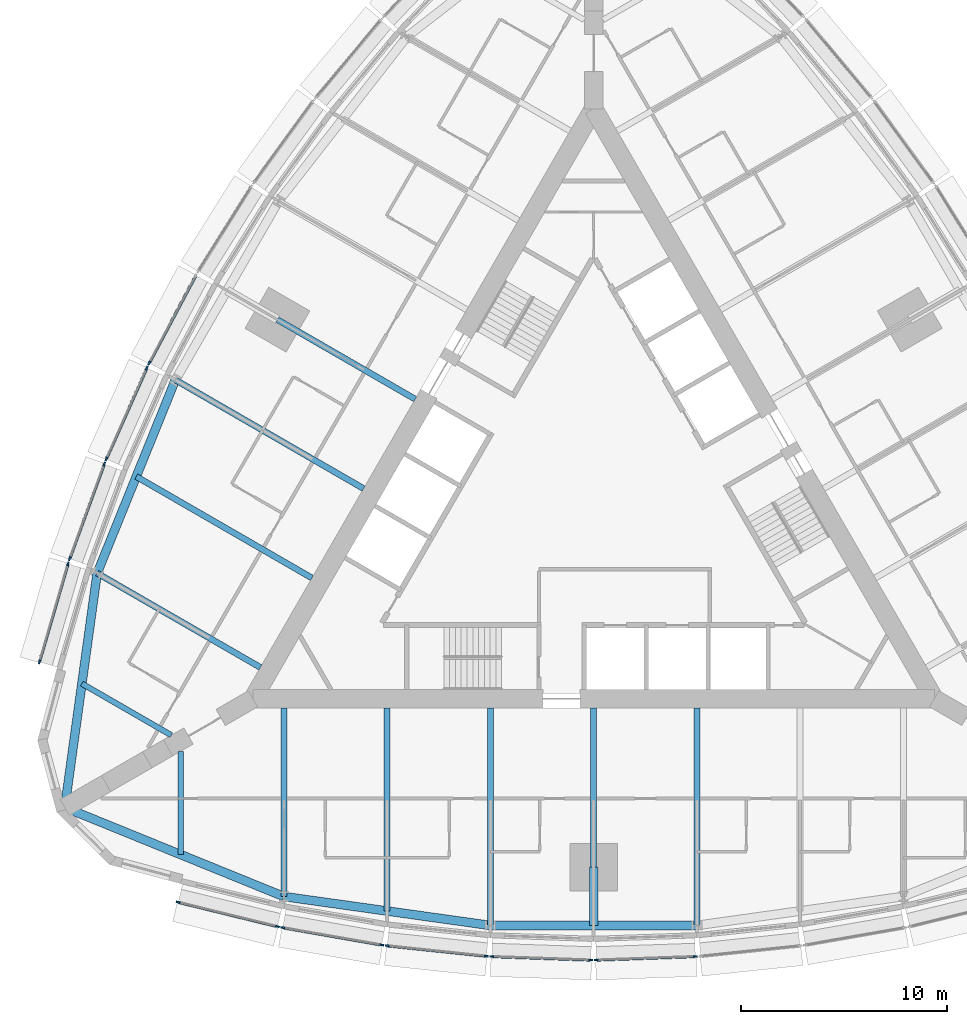
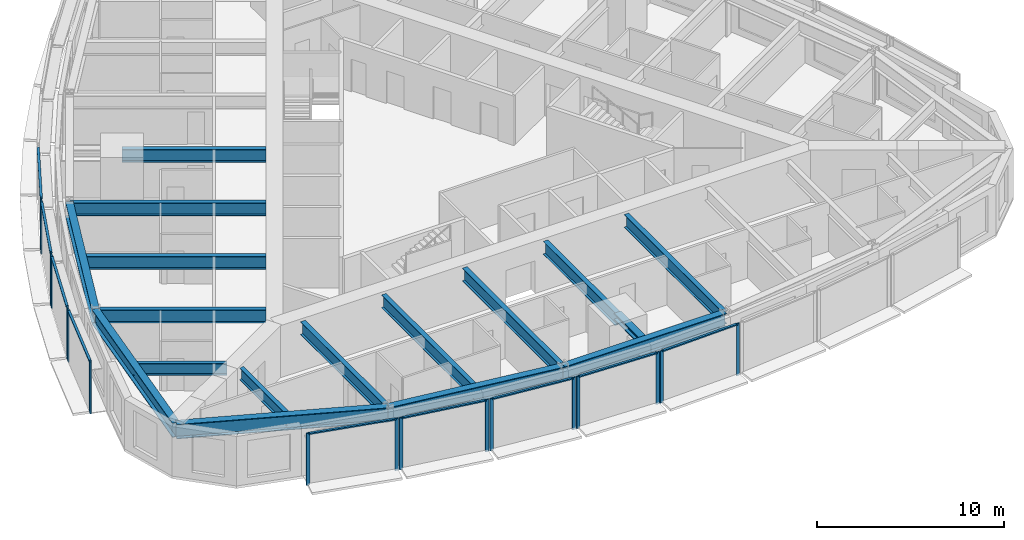
# One storey, part 2 of 14: 26 members, 17 beams, 9 elements without a shape of their own.
"""IFC4 building model written with IfcOpenShell, lengths in metres."""

from ifc_helpers import new_model, si_unit, direction, frame, origin, origin_2d, place, context, subcontext, project, spatial, rectangle, i_section, extrude, material, material_profile, profile_set, type_object, element, aggregate, save


model = new_model("IFC4")

# Units and contexts
model_context = context("Model", 3, precision=1e-05, world=origin(), true_north=direction((0.0, 1.0)))
body_context = subcontext(model_context, "Body", "Model", "MODEL_VIEW")
ifc_project = project(units=[si_unit("LENGTHUNIT", "METRE"), si_unit("AREAUNIT", "SQUARE_METRE"), si_unit("VOLUMEUNIT", "CUBIC_METRE"), si_unit("PLANEANGLEUNIT", "RADIAN"), si_unit("MASSUNIT", "GRAM", prefix="KILO")], contexts=[model_context])

# Site, building, storey
site_placement = place(None, origin())
site = spatial("IfcSite", under=ifc_project, at=site_placement, CompositionType="ELEMENT")
building_placement = place(site_placement, origin())
building = spatial("IfcBuilding", under=site, at=building_placement, Name="Trikona Tower", CompositionType="ELEMENT")
storey_placement = place(building_placement, frame((0.0, 0.0, 152.10009765625)))
storey = spatial("IfcBuildingStorey", under=building, at=storey_placement, Name="L40", CompositionType="ELEMENT", Elevation=152.10009765625)

# Curtain wall, members
ifc_material_1 = material(Name="Aluminium curtain wall system", Category="aluminium")
curtain_wall_type = type_object("IfcCurtainWallType", Name="Curtain wall DS2", PredefinedType="NOTDEFINED", material=ifc_material_1)
curtain_wall_1_placement = place(storey_placement, origin())
curtain_wall_1 = element("IfcCurtainWall", 1, at=curtain_wall_1_placement, inside=storey, type_object=curtain_wall_type, Name="Curtain wall DS2 L40", PredefinedType="NOTDEFINED")
ifc_material_2 = material(Name="Aluminium mullion, pale anodised", Category="aluminium")
ifc_material_profile_1 = material_profile(ifc_material_2, rectangle(XDim=0.080078125, YDim=0.199951171875, at=origin_2d()), Name="MUL-DS2")
ifc_profile_set_1 = profile_set([ifc_material_profile_1], Name="Aluminium mullion, pale anodised")
member_type_1 = type_object("IfcMemberType", Name="Mullion DS2 80x200", PredefinedType="MULLION", material=ifc_profile_set_1)
member_1_placement = place(storey_placement, frame((-20.116943359375, -19.373046875, 0.0), z_axis=(0.0, 0.0, 1.0), x_axis=(0.237970204243, 0.971272455026, 0.0)))
member_1 = element("IfcMember", 2, at=member_1_placement, type_object=member_type_1, Name="CW-DS2 mullion 1", PredefinedType="MULLION", context=body_context, shape_type="SweptSolid", body=[
    extrude(rectangle(XDim=0.080078125, YDim=0.199951171875, at=origin_2d()), origin(), (0.0, 0.0, 1.0), 3.39990234375),
])
member_2_placement = place(storey_placement, frame((-15.311279296875, -20.550537109375, 0.0), z_axis=(0.0, 0.0, 1.0), x_axis=(0.237970204243, 0.971272455026, 0.0)))
member_2 = element("IfcMember", 3, at=member_2_placement, type_object=member_type_1, Name="CW-DS2 mullion 2", PredefinedType="MULLION", context=body_context, shape_type="SweptSolid", body=[
    extrude(rectangle(XDim=0.080078125, YDim=0.199951171875, at=origin_2d()), origin(), (0.0, 0.0, 1.0), 3.39990234375),
])

curtain_wall_2_placement = place(storey_placement, origin())
curtain_wall_2 = element("IfcCurtainWall", 4, at=curtain_wall_2_placement, inside=storey, type_object=curtain_wall_type, Name="Curtain wall DS2 L40", PredefinedType="NOTDEFINED")
member_3_placement = place(storey_placement, frame((-15.056640625, -20.60400390625, 0.0), z_axis=(0.0, 0.0, 1.0), x_axis=(0.17237739505, 0.985030981074, 0.0)))
member_3 = element("IfcMember", 5, at=member_3_placement, type_object=member_type_1, Name="CW-DS2 mullion 1", PredefinedType="MULLION", context=body_context, shape_type="SweptSolid", body=[
    extrude(rectangle(XDim=0.080078125, YDim=0.199951171875, at=origin_2d()), origin(), (0.0, 0.0, 1.0), 3.39990234375),
])
member_4_placement = place(storey_placement, frame((-10.253662109375, -21.444580078125, 0.0), z_axis=(0.0, 0.0, 1.0), x_axis=(0.17237739505, 0.985030981074, 0.0)))
member_4 = element("IfcMember", 6, at=member_4_placement, type_object=member_type_1, Name="CW-DS2 mullion 2", PredefinedType="MULLION", context=body_context, shape_type="SweptSolid", body=[
    extrude(rectangle(XDim=0.080078125, YDim=0.199951171875, at=origin_2d()), origin(), (0.0, 0.0, 1.0), 3.39990234375),
])

curtain_wall_3_placement = place(storey_placement, origin())
curtain_wall_3 = element("IfcCurtainWall", 7, at=curtain_wall_3_placement, inside=storey, type_object=curtain_wall_type, Name="Curtain wall DS2 L40", PredefinedType="NOTDEFINED")
member_5_placement = place(storey_placement, frame((-9.99462890625, -21.480712890625, 0.0), z_axis=(0.0, 0.0, 1.0), x_axis=(0.104433387357, 0.994531883654, 0.0)))
member_5 = element("IfcMember", 8, at=member_5_placement, type_object=member_type_1, Name="CW-DS2 mullion 1", PredefinedType="MULLION", context=body_context, shape_type="SweptSolid", body=[
    extrude(rectangle(XDim=0.080078125, YDim=0.199951171875, at=origin_2d()), origin(), (0.0, 0.0, 1.0), 3.39990234375),
])
member_6_placement = place(storey_placement, frame((-5.193359375, -21.98486328125, 0.0), z_axis=(0.0, 0.0, 1.0), x_axis=(0.104433387357, 0.994531883654, 0.0)))
member_6 = element("IfcMember", 9, at=member_6_placement, type_object=member_type_1, Name="CW-DS2 mullion 2", PredefinedType="MULLION", context=body_context, shape_type="SweptSolid", body=[
    extrude(rectangle(XDim=0.080078125, YDim=0.199951171875, at=origin_2d()), origin(), (0.0, 0.0, 1.0), 3.39990234375),
])

curtain_wall_4_placement = place(storey_placement, origin())
curtain_wall_4 = element("IfcCurtainWall", 10, at=curtain_wall_4_placement, inside=storey, type_object=curtain_wall_type, Name="Curtain wall DS2 L40", PredefinedType="NOTDEFINED")
member_7_placement = place(storey_placement, frame((-4.931640625, -22.003173828125, 0.0), z_axis=(0.0, 0.0, 1.0), x_axis=(0.034998320052, 0.99938737114, 0.0)))
member_7 = element("IfcMember", 11, at=member_7_placement, type_object=member_type_1, Name="CW-DS2 mullion 1", PredefinedType="MULLION", context=body_context, shape_type="SweptSolid", body=[
    extrude(rectangle(XDim=0.080078125, YDim=0.199951171875, at=origin_2d()), origin(), (0.0, 0.0, 1.0), 3.39990234375),
])
member_8_placement = place(storey_placement, frame((-0.13134765625, -22.171142578125, 0.0), z_axis=(0.0, 0.0, 1.0), x_axis=(0.034998320052, 0.99938737114, 0.0)))
member_8 = element("IfcMember", 12, at=member_8_placement, type_object=member_type_1, Name="CW-DS2 mullion 2", PredefinedType="MULLION", context=body_context, shape_type="SweptSolid", body=[
    extrude(rectangle(XDim=0.080078125, YDim=0.199951171875, at=origin_2d()), origin(), (0.0, 0.0, 1.0), 3.39990234375),
])

curtain_wall_5_placement = place(storey_placement, origin())
curtain_wall_5 = element("IfcCurtainWall", 13, at=curtain_wall_5_placement, inside=storey, type_object=curtain_wall_type, Name="Curtain wall DS2 L40", PredefinedType="NOTDEFINED")
member_9_placement = place(storey_placement, frame((0.13134765625, -22.171142578125, 0.0), z_axis=(0.0, 0.0, 1.0), x_axis=(-0.034998320052, 0.99938737114, 0.0)))
member_9 = element("IfcMember", 14, at=member_9_placement, type_object=member_type_1, Name="CW-DS2 mullion 1", PredefinedType="MULLION", context=body_context, shape_type="SweptSolid", body=[
    extrude(rectangle(XDim=0.080078125, YDim=0.199951171875, at=origin_2d()), origin(), (0.0, 0.0, 1.0), 3.39990234375),
])
member_10_placement = place(storey_placement, frame((4.931640625, -22.003173828125, 0.0), z_axis=(0.0, 0.0, 1.0), x_axis=(-0.034998320052, 0.99938737114, 0.0)))
member_10 = element("IfcMember", 15, at=member_10_placement, type_object=member_type_1, Name="CW-DS2 mullion 2", PredefinedType="MULLION", context=body_context, shape_type="SweptSolid", body=[
    extrude(rectangle(XDim=0.080078125, YDim=0.199951171875, at=origin_2d()), origin(), (0.0, 0.0, 1.0), 3.39990234375),
])

# Curtain wall, member
curtain_wall_6_placement = place(storey_placement, origin())
curtain_wall_6 = element("IfcCurtainWall", 16, at=curtain_wall_6_placement, inside=storey, type_object=curtain_wall_type, Name="Curtain wall DS2 L40", PredefinedType="NOTDEFINED")
member_11_placement = place(storey_placement, frame((-21.52099609375, 6.730712890625, 0.0), z_axis=(0.0, 0.0, 1.0), x_axis=(0.882996107343, -0.469380308937, 0.0)))
member_11 = element("IfcMember", 17, at=member_11_placement, type_object=member_type_1, Name="CW-DS2 mullion 2", PredefinedType="MULLION", context=body_context, shape_type="SweptSolid", body=[
    extrude(rectangle(XDim=0.080078125, YDim=0.199951171875, at=origin_2d()), origin(), (0.0, 0.0, 1.0), 3.39990234375),
])

# Curtain wall, members
curtain_wall_7_placement = place(storey_placement, origin())
curtain_wall_7 = element("IfcCurtainWall", 18, at=curtain_wall_7_placement, inside=storey, type_object=curtain_wall_type, Name="Curtain wall DS2 L40", PredefinedType="NOTDEFINED")
member_12_placement = place(storey_placement, frame((-21.63623046875, 6.494873046875, 0.0), z_axis=(0.0, 0.0, 1.0), x_axis=(0.913501208767, -0.406836013132, 0.0)))
member_12 = element("IfcMember", 19, at=member_12_placement, type_object=member_type_1, Name="CW-DS2 mullion 1", PredefinedType="MULLION", context=body_context, shape_type="SweptSolid", body=[
    extrude(rectangle(XDim=0.080078125, YDim=0.199951171875, at=origin_2d()), origin(), (0.0, 0.0, 1.0), 3.39990234375),
])
member_13_placement = place(storey_placement, frame((-23.60009765625, 2.0849609375, 0.0), z_axis=(0.0, 0.0, 1.0), x_axis=(0.913501208767, -0.406836013132, 0.0)))
member_13 = element("IfcMember", 20, at=member_13_placement, type_object=member_type_1, Name="CW-DS2 mullion 2", PredefinedType="MULLION", context=body_context, shape_type="SweptSolid", body=[
    extrude(rectangle(XDim=0.080078125, YDim=0.199951171875, at=origin_2d()), origin(), (0.0, 0.0, 1.0), 3.39990234375),
])

curtain_wall_8_placement = place(storey_placement, origin())
curtain_wall_8 = element("IfcCurtainWall", 21, at=curtain_wall_8_placement, inside=storey, type_object=curtain_wall_type, Name="Curtain wall DS2 L40", PredefinedType="NOTDEFINED")
member_14_placement = place(storey_placement, frame((-23.6982421875, 1.84228515625, 0.0), z_axis=(0.0, 0.0, 1.0), x_axis=(0.939253790978, -0.343223420143, 0.0)))
member_14 = element("IfcMember", 22, at=member_14_placement, type_object=member_type_1, Name="CW-DS2 mullion 1", PredefinedType="MULLION", context=body_context, shape_type="SweptSolid", body=[
    extrude(rectangle(XDim=0.080078125, YDim=0.199951171875, at=origin_2d()), origin(), (0.0, 0.0, 1.0), 3.39990234375),
])
member_15_placement = place(storey_placement, frame((-25.371826171875, -2.737548828125, 0.0), z_axis=(0.0, 0.0, 1.0), x_axis=(0.939253790978, -0.343223420143, 0.0)))
member_15 = element("IfcMember", 23, at=member_15_placement, type_object=member_type_1, Name="CW-DS2 mullion 2", PredefinedType="MULLION", context=body_context, shape_type="SweptSolid", body=[
    extrude(rectangle(XDim=0.080078125, YDim=0.199951171875, at=origin_2d()), origin(), (0.0, 0.0, 1.0), 3.39990234375),
])

curtain_wall_9_placement = place(storey_placement, origin())
curtain_wall_9 = element("IfcCurtainWall", 24, at=curtain_wall_9_placement, inside=storey, type_object=curtain_wall_type, Name="Curtain wall DS2 L40", PredefinedType="NOTDEFINED")
member_16_placement = place(storey_placement, frame((-25.452880859375, -2.984619140625, 0.0), z_axis=(0.0, 0.0, 1.0), x_axis=(0.96013310152, -0.279543247757, 0.0)))
member_16 = element("IfcMember", 25, at=member_16_placement, type_object=member_type_1, Name="CW-DS2 mullion 1", PredefinedType="MULLION", context=body_context, shape_type="SweptSolid", body=[
    extrude(rectangle(XDim=0.080078125, YDim=0.199951171875, at=origin_2d()), origin(), (0.0, 0.0, 1.0), 3.39990234375),
])
member_17_placement = place(storey_placement, frame((-26.836181640625, -7.7353515625, 0.0), z_axis=(0.0, 0.0, 1.0), x_axis=(0.96013310152, -0.279543247757, 0.0)))
member_17 = element("IfcMember", 26, at=member_17_placement, type_object=member_type_1, Name="CW-DS2 mullion 2", PredefinedType="MULLION", context=body_context, shape_type="SweptSolid", body=[
    extrude(rectangle(XDim=0.080078125, YDim=0.199951171875, at=origin_2d()), origin(), (0.0, 0.0, 1.0), 3.39990234375),
])

# Beams
ifc_material_3 = material(Name="Steel ASTM A992 Grade 50", Category="steel")
ifc_material_profile_2 = material_profile(ifc_material_3, i_section(OverallWidth=0.419189453125, OverallDepth=0.45458984375, WebThickness=0.042236328125, FlangeThickness=0.067626953125, at=origin_2d()), Name="W14X370")
ifc_profile_set_2 = profile_set([ifc_material_profile_2], Name="Steel ASTM A992 Grade 50")
beam_type_1 = type_object("IfcBeamType", Name="Steel beam W14x370 (apex bracket)", PredefinedType="BEAM", material=ifc_profile_set_2)
beam_1_placement = place(storey_placement, frame((0.0, -17.680419921875, 3.007568359375), z_axis=(0.0, -1.0, 0.0), x_axis=(1.0, 0.0, 0.0)))
element("IfcBeam", 27, at=beam_1_placement, inside=storey, type_object=beam_type_1, Name="Cantilever bracket L41 F1", PredefinedType="BEAM", context=body_context, shape_type="SweptSolid", body=[
    extrude(i_section(OverallWidth=0.419189453125, OverallDepth=0.45458984375, WebThickness=0.042236328125, FlangeThickness=0.067626953125, at=origin_2d()), origin(), (0.0, 0.0, 1.0), 2.81982421875),
])
ifc_material_4 = material(Name="Steel ASTM A992 Grade 50", Category="steel")
ifc_material_profile_3 = material_profile(ifc_material_4, i_section(OverallWidth=0.2666015625, OverallDepth=0.76953125, WebThickness=0.015625, FlangeThickness=0.025390625, at=origin_2d()), Name="W30X132")
ifc_profile_set_3 = profile_set([ifc_material_profile_3], Name="Steel ASTM A992 Grade 50")
beam_type_2 = type_object("IfcBeamType", Name="Steel beam W30x132 (wedge)", PredefinedType="BEAM", material=ifc_profile_set_3)
beam_2_placement = place(storey_placement, frame((-20.0, -12.066650390625, 2.85009765625), z_axis=(0.0, -1.0, 0.0), x_axis=(1.0, 0.0, 0.0)))
element("IfcBeam", 28, at=beam_2_placement, inside=storey, type_object=beam_type_2, Name="Floor beam L41 F1 u-20", PredefinedType="BEAM", context=body_context, shape_type="SweptSolid", body=[
    extrude(i_section(OverallWidth=0.2666015625, OverallDepth=0.76953125, WebThickness=0.015625, FlangeThickness=0.025390625, at=origin_2d()), origin(), (0.0, 0.0, 1.0), 5.00048828125),
])
beam_3_placement = place(storey_placement, frame((-20.449951171875, -11.287109375, 2.85009765625), z_axis=(-0.866038434829, 0.49997742889, 0.0), x_axis=(-0.49997742889, -0.866038434829, 0.0)))
element("IfcBeam", 29, at=beam_3_placement, inside=storey, type_object=beam_type_2, Name="Floor beam L41 F3 u20", PredefinedType="BEAM", context=body_context, shape_type="SweptSolid", body=[
    extrude(i_section(OverallWidth=0.2666015625, OverallDepth=0.76953125, WebThickness=0.015625, FlangeThickness=0.025390625, at=origin_2d()), origin(), (0.0, 0.0, 1.0), 5.000732421875),
])
ifc_material_5 = material(Name="Steel ASTM A992 Grade 50", Category="steel")
ifc_material_profile_4 = material_profile(ifc_material_5, i_section(OverallWidth=0.2919921875, OverallDepth=0.845703125, WebThickness=0.015380859375, FlangeThickness=0.0244140625, at=origin_2d()), Name="W33X141")
ifc_profile_set_4 = profile_set([ifc_material_profile_4], Name="Steel ASTM A992 Grade 50")
beam_type_3 = type_object("IfcBeamType", Name="Steel beam W33x141 (radial typ)", PredefinedType="BEAM", material=ifc_profile_set_4)
beam_4_placement = place(storey_placement, frame((-15.0, -9.976318359375, 2.81201171875), z_axis=(0.0, -1.0, 0.0), x_axis=(1.0, 0.0, 0.0)))
element("IfcBeam", 30, at=beam_4_placement, inside=storey, type_object=beam_type_3, Name="Floor beam L41 F1 u-15", PredefinedType="BEAM", context=body_context, shape_type="SweptSolid", body=[
    extrude(i_section(OverallWidth=0.2919921875, OverallDepth=0.845703125, WebThickness=0.015380859375, FlangeThickness=0.0244140625, at=origin_2d()), origin(), (0.0, 0.0, 1.0), 9.123779296875),
])
beam_5_placement = place(storey_placement, frame((-10.0, -9.976318359375, 2.81201171875), z_axis=(0.0, -1.0, 0.0), x_axis=(1.0, 0.0, 0.0)))
element("IfcBeam", 31, at=beam_5_placement, inside=storey, type_object=beam_type_3, Name="Floor beam L41 F1 u-10", PredefinedType="BEAM", context=body_context, shape_type="SweptSolid", body=[
    extrude(i_section(OverallWidth=0.2919921875, OverallDepth=0.845703125, WebThickness=0.015380859375, FlangeThickness=0.0244140625, at=origin_2d()), origin(), (0.0, 0.0, 1.0), 9.823974609375),
])
beam_6_placement = place(storey_placement, frame((-5.0, -9.976318359375, 2.81201171875), z_axis=(0.0, -1.0, 0.0), x_axis=(1.0, 0.0, 0.0)))
element("IfcBeam", 32, at=beam_6_placement, inside=storey, type_object=beam_type_3, Name="Floor beam L41 F1 u-5", PredefinedType="BEAM", context=body_context, shape_type="SweptSolid", body=[
    extrude(i_section(OverallWidth=0.2919921875, OverallDepth=0.845703125, WebThickness=0.015380859375, FlangeThickness=0.0244140625, at=origin_2d()), origin(), (0.0, 0.0, 1.0), 10.52392578125),
])
beam_7_placement = place(storey_placement, frame((0.0, -9.976318359375, 2.81201171875), z_axis=(0.0, -1.0, 0.0), x_axis=(1.0, 0.0, 0.0)))
element("IfcBeam", 33, at=beam_7_placement, inside=storey, type_object=beam_type_3, Name="Floor beam L41 F1 u0", PredefinedType="BEAM", context=body_context, shape_type="SweptSolid", body=[
    extrude(i_section(OverallWidth=0.2919921875, OverallDepth=0.845703125, WebThickness=0.015380859375, FlangeThickness=0.0244140625, at=origin_2d()), origin(), (0.0, 0.0, 1.0), 7.7041015625),
])
beam_8_placement = place(storey_placement, frame((5.0, -9.976318359375, 2.81201171875), z_axis=(0.0, -1.0, 0.0), x_axis=(1.0, 0.0, 0.0)))
element("IfcBeam", 34, at=beam_8_placement, inside=storey, type_object=beam_type_3, Name="Floor beam L41 F1 u5", PredefinedType="BEAM", context=body_context, shape_type="SweptSolid", body=[
    extrude(i_section(OverallWidth=0.2919921875, OverallDepth=0.845703125, WebThickness=0.015380859375, FlangeThickness=0.0244140625, at=origin_2d()), origin(), (0.0, 0.0, 1.0), 10.52392578125),
])
beam_9_placement = place(storey_placement, frame((-8.6396484375, 4.988037109375, 2.81201171875), z_axis=(-0.866017246294, 0.500014128921, 0.0), x_axis=(-0.500014128921, -0.866017246294, 0.0)))
element("IfcBeam", 35, at=beam_9_placement, inside=storey, type_object=beam_type_3, Name="Floor beam L41 F3 u0", PredefinedType="BEAM", context=body_context, shape_type="SweptSolid", body=[
    extrude(i_section(OverallWidth=0.2919921875, OverallDepth=0.845703125, WebThickness=0.015380859375, FlangeThickness=0.0244140625, at=origin_2d()), origin(), (0.0, 0.0, 1.0), 7.704345703125),
])
beam_10_placement = place(storey_placement, frame((-11.1396484375, 0.657958984375, 2.81201171875), z_axis=(-0.866026035623, 0.499998905622, 0.0), x_axis=(-0.499998905622, -0.866026035623, 0.0)))
element("IfcBeam", 36, at=beam_10_placement, inside=storey, type_object=beam_type_3, Name="Floor beam L41 F3 u5", PredefinedType="BEAM", context=body_context, shape_type="SweptSolid", body=[
    extrude(i_section(OverallWidth=0.2919921875, OverallDepth=0.845703125, WebThickness=0.015380859375, FlangeThickness=0.0244140625, at=origin_2d()), origin(), (0.0, 0.0, 1.0), 10.52392578125),
])
beam_11_placement = place(storey_placement, frame((-13.6396484375, -3.672119140625, 2.81201171875), z_axis=(-0.866020046725, 0.500009278584, 0.0), x_axis=(-0.500009278584, -0.866020046725, 0.0)))
element("IfcBeam", 37, at=beam_11_placement, inside=storey, type_object=beam_type_3, Name="Floor beam L41 F3 u10", PredefinedType="BEAM", context=body_context, shape_type="SweptSolid", body=[
    extrude(i_section(OverallWidth=0.2919921875, OverallDepth=0.845703125, WebThickness=0.015380859375, FlangeThickness=0.0244140625, at=origin_2d()), origin(), (0.0, 0.0, 1.0), 9.823974609375),
])
beam_12_placement = place(storey_placement, frame((-16.1396484375, -8.002197265625, 2.81201171875), z_axis=(-0.866024725532, 0.500001174766, 0.0), x_axis=(-0.500001174766, -0.866024725532, 0.0)))
element("IfcBeam", 38, at=beam_12_placement, inside=storey, type_object=beam_type_3, Name="Floor beam L41 F3 u15", PredefinedType="BEAM", context=body_context, shape_type="SweptSolid", body=[
    extrude(i_section(OverallWidth=0.2919921875, OverallDepth=0.845703125, WebThickness=0.015380859375, FlangeThickness=0.0244140625, at=origin_2d()), origin(), (0.0, 0.0, 1.0), 9.1240234375),
])
ifc_material_6 = material(Name="Steel ASTM A992 Grade 50", Category="steel")
ifc_material_profile_5 = material_profile(ifc_material_6, i_section(OverallWidth=0.424072265625, OverallDepth=0.947509765625, WebThickness=0.02392578125, FlangeThickness=0.042724609375, at=origin_2d()), Name="W36X302")
ifc_profile_set_5 = profile_set([ifc_material_profile_5], Name="Steel ASTM A992 Grade 50")
beam_type_4 = type_object("IfcBeamType", Name="Steel beam W36x302 (spandrel)", PredefinedType="SPANDREL", material=ifc_profile_set_5)
beam_13_placement = place(storey_placement, frame((-25.6103515625, -14.7861328125, 2.76123046875), z_axis=(0.926359695662, -0.376640032728, 0.0), x_axis=(0.376640032728, 0.926359695662, 0.0)))
element("IfcBeam", 39, at=beam_13_placement, inside=storey, type_object=beam_type_4, Name="Spandrel beam L41 F1-1", PredefinedType="SPANDREL", context=body_context, shape_type="SweptSolid", body=[
    extrude(i_section(OverallWidth=0.424072265625, OverallDepth=0.947509765625, WebThickness=0.02392578125, FlangeThickness=0.042724609375, at=origin_2d()), origin(), (0.0, 0.0, 1.0), 11.453857421875),
])
beam_14_placement = place(storey_placement, frame((-15.0, -19.10009765625, 2.76123046875), z_axis=(0.990339754644, -0.13866207258, 0.0), x_axis=(0.13866207258, 0.990339754644, 0.0)))
element("IfcBeam", 40, at=beam_14_placement, inside=storey, type_object=beam_type_4, Name="Spandrel beam L41 F1-2", PredefinedType="SPANDREL", context=body_context, shape_type="SweptSolid", body=[
    extrude(i_section(OverallWidth=0.424072265625, OverallDepth=0.947509765625, WebThickness=0.02392578125, FlangeThickness=0.042724609375, at=origin_2d()), origin(), (0.0, 0.0, 1.0), 10.09765625),
])
beam_15_placement = place(storey_placement, frame((-5.0, -20.500244140625, 2.76123046875), z_axis=(1.0, 0.0, 0.0), x_axis=(0.0, 1.0, 0.0)))
element("IfcBeam", 41, at=beam_15_placement, inside=storey, type_object=beam_type_4, Name="Spandrel beam L41 F1-3", PredefinedType="SPANDREL", context=body_context, shape_type="SweptSolid", body=[
    extrude(i_section(OverallWidth=0.424072265625, OverallDepth=0.947509765625, WebThickness=0.02392578125, FlangeThickness=0.042724609375, at=origin_2d()), origin(), (0.0, 0.0, 1.0), 10.0),
])
beam_16_placement = place(storey_placement, frame((-20.253662109375, 5.919921875, 2.76123046875), z_axis=(-0.375106193787, -0.926981846307, 0.0), x_axis=(0.926981846307, -0.375106193787, 0.0)))
element("IfcBeam", 42, at=beam_16_placement, inside=storey, type_object=beam_type_4, Name="Spandrel beam L41 F3-4", PredefinedType="SPANDREL", context=body_context, shape_type="SweptSolid", body=[
    extrude(i_section(OverallWidth=0.424072265625, OverallDepth=0.947509765625, WebThickness=0.02392578125, FlangeThickness=0.042724609375, at=origin_2d()), origin(), (0.0, 0.0, 1.0), 10.097412109375),
])
beam_17_placement = place(storey_placement, frame((-24.041259765625, -3.440185546875, 2.76123046875), z_axis=(-0.136991535842, -0.990572218017, 0.0), x_axis=(0.990572218017, -0.136991535842, 0.0)))
element("IfcBeam", 43, at=beam_17_placement, inside=storey, type_object=beam_type_4, Name="Spandrel beam L41 F3-5", PredefinedType="SPANDREL", context=body_context, shape_type="SweptSolid", body=[
    extrude(i_section(OverallWidth=0.424072265625, OverallDepth=0.947509765625, WebThickness=0.02392578125, FlangeThickness=0.042724609375, at=origin_2d()), origin(), (0.0, 0.0, 1.0), 11.453857421875),
])

# Member
ifc_material_7 = material(Name="Aluminium transom, pale anodised", Category="aluminium")
ifc_material_profile_6 = material_profile(ifc_material_7, rectangle(XDim=0.139892578125, YDim=0.080078125, at=origin_2d()), Name="TRN-DS2")
ifc_profile_set_6 = profile_set([ifc_material_profile_6], Name="Aluminium transom, pale anodised")
member_type_2 = type_object("IfcMemberType", Name="Transom DS2 80x140", PredefinedType="USERDEFINED", material=ifc_profile_set_6)
member_18_placement = place(storey_placement, frame((-20.078125, -19.382568359375, 3.35986328125), z_axis=(0.971270583303, -0.237977843528, 0.0), x_axis=(0.237977843528, 0.971270583303, 0.0)))
member_18 = element("IfcMember", 44, at=member_18_placement, type_object=member_type_2, Name="CW-DS2 transom 1.1", ObjectType="TRANSOM", PredefinedType="USERDEFINED", context=body_context, shape_type="SweptSolid", body=[
    extrude(rectangle(XDim=0.139892578125, YDim=0.080078125, at=origin_2d()), origin(), (0.0, 0.0, 1.0), 4.867919921875),
])

aggregate(curtain_wall_1, [member_1, member_2, member_18])

member_19_placement = place(storey_placement, frame((-15.01708984375, -20.61083984375, 3.35986328125), z_axis=(0.98503262804, -0.172367983387, 0.0), x_axis=(0.172367983387, 0.98503262804, 0.0)))
member_19 = element("IfcMember", 45, at=member_19_placement, type_object=member_type_2, Name="CW-DS2 transom 1.1", ObjectType="TRANSOM", PredefinedType="USERDEFINED", context=body_context, shape_type="SweptSolid", body=[
    extrude(rectangle(XDim=0.139892578125, YDim=0.080078125, at=origin_2d()), origin(), (0.0, 0.0, 1.0), 4.7958984375),
])

aggregate(curtain_wall_2, [member_3, member_4, member_19])

member_20_placement = place(storey_placement, frame((-9.954833984375, -21.48486328125, 3.35986328125), z_axis=(0.99453106441, -0.104441188822, 0.0), x_axis=(0.104441188822, 0.99453106441, 0.0)))
member_20 = element("IfcMember", 46, at=member_20_placement, type_object=member_type_2, Name="CW-DS2 transom 1.1", ObjectType="TRANSOM", PredefinedType="USERDEFINED", context=body_context, shape_type="SweptSolid", body=[
    extrude(rectangle(XDim=0.139892578125, YDim=0.080078125, at=origin_2d()), origin(), (0.0, 0.0, 1.0), 4.74755859375),
])

aggregate(curtain_wall_3, [member_5, member_6, member_20])

member_21_placement = place(storey_placement, frame((-4.8916015625, -22.00439453125, 3.35986328125), z_axis=(0.999385692759, -0.035046213908, 0.0), x_axis=(0.035046213908, 0.999385692759, 0.0)))
member_21 = element("IfcMember", 47, at=member_21_placement, type_object=member_type_2, Name="CW-DS2 transom 1.1", ObjectType="TRANSOM", PredefinedType="USERDEFINED", context=body_context, shape_type="SweptSolid", body=[
    extrude(rectangle(XDim=0.139892578125, YDim=0.080078125, at=origin_2d()), origin(), (0.0, 0.0, 1.0), 4.72314453125),
])

aggregate(curtain_wall_4, [member_7, member_8, member_21])

member_22_placement = place(storey_placement, frame((0.17138671875, -22.169921875, 3.35986328125), z_axis=(0.999385692759, 0.035046213908, 0.0), x_axis=(-0.035046213908, 0.999385692759, 0.0)))
member_22 = element("IfcMember", 48, at=member_22_placement, type_object=member_type_2, Name="CW-DS2 transom 1.1", ObjectType="TRANSOM", PredefinedType="USERDEFINED", context=body_context, shape_type="SweptSolid", body=[
    extrude(rectangle(XDim=0.139892578125, YDim=0.080078125, at=origin_2d()), origin(), (0.0, 0.0, 1.0), 4.72314453125),
])

aggregate(curtain_wall_5, [member_9, member_10, member_22])

member_23_placement = place(storey_placement, frame((-19.285400390625, 10.9365234375, 3.35986328125), z_axis=(-0.469364343408, -0.883004594063, 0.0), x_axis=(0.883004594063, -0.469364343408, 0.0)))
member_23 = element("IfcMember", 49, at=member_23_placement, type_object=member_type_2, Name="CW-DS2 transom 1.1", ObjectType="TRANSOM", PredefinedType="USERDEFINED", context=body_context, shape_type="SweptSolid", body=[
    extrude(rectangle(XDim=0.139892578125, YDim=0.080078125, at=origin_2d()), origin(), (0.0, 0.0, 1.0), 4.722900390625),
])

aggregate(curtain_wall_6, [member_11, member_23])

member_24_placement = place(storey_placement, frame((-21.65234375, 6.458251953125, 3.35986328125), z_axis=(-0.406839769607, -0.913499535778, 0.0), x_axis=(0.913499535778, -0.406839769607, 0.0)))
member_24 = element("IfcMember", 50, at=member_24_placement, type_object=member_type_2, Name="CW-DS2 transom 1.1", ObjectType="TRANSOM", PredefinedType="USERDEFINED", context=body_context, shape_type="SweptSolid", body=[
    extrude(rectangle(XDim=0.139892578125, YDim=0.080078125, at=origin_2d()), origin(), (0.0, 0.0, 1.0), 4.747314453125),
])

aggregate(curtain_wall_7, [member_12, member_13, member_24])

member_25_placement = place(storey_placement, frame((-23.712158203125, 1.8046875, 3.35986328125), z_axis=(-0.343205907674, -0.939260190223, 0.0), x_axis=(0.939260190223, -0.343205907674, 0.0)))
member_25 = element("IfcMember", 51, at=member_25_placement, type_object=member_type_2, Name="CW-DS2 transom 1.1", ObjectType="TRANSOM", PredefinedType="USERDEFINED", context=body_context, shape_type="SweptSolid", body=[
    extrude(rectangle(XDim=0.139892578125, YDim=0.080078125, at=origin_2d()), origin(), (0.0, 0.0, 1.0), 4.7958984375),
])

aggregate(curtain_wall_8, [member_14, member_15, member_25])

member_26_placement = place(storey_placement, frame((-25.464111328125, -3.023193359375, 3.35986328125), z_axis=(-0.279566628153, -0.960126293996, 0.0), x_axis=(0.960126293996, -0.279566628153, 0.0)))
member_26 = element("IfcMember", 52, at=member_26_placement, type_object=member_type_2, Name="CW-DS2 transom 1.1", ObjectType="TRANSOM", PredefinedType="USERDEFINED", context=body_context, shape_type="SweptSolid", body=[
    extrude(rectangle(XDim=0.139892578125, YDim=0.080078125, at=origin_2d()), origin(), (0.0, 0.0, 1.0), 4.86767578125),
])

aggregate(curtain_wall_9, [member_16, member_17, member_26])

save(model, "model.ifc")
